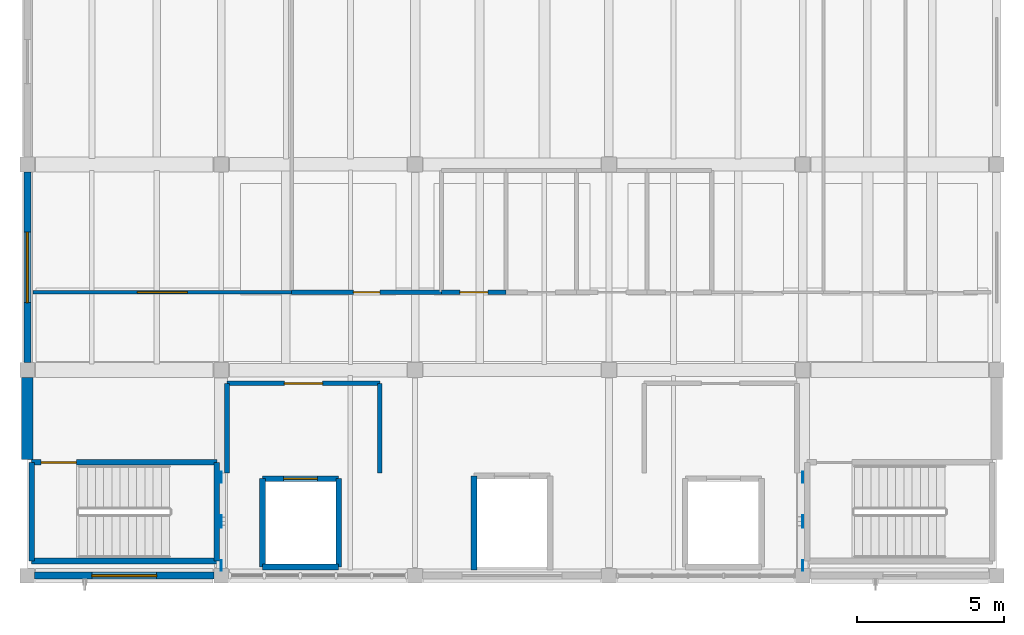
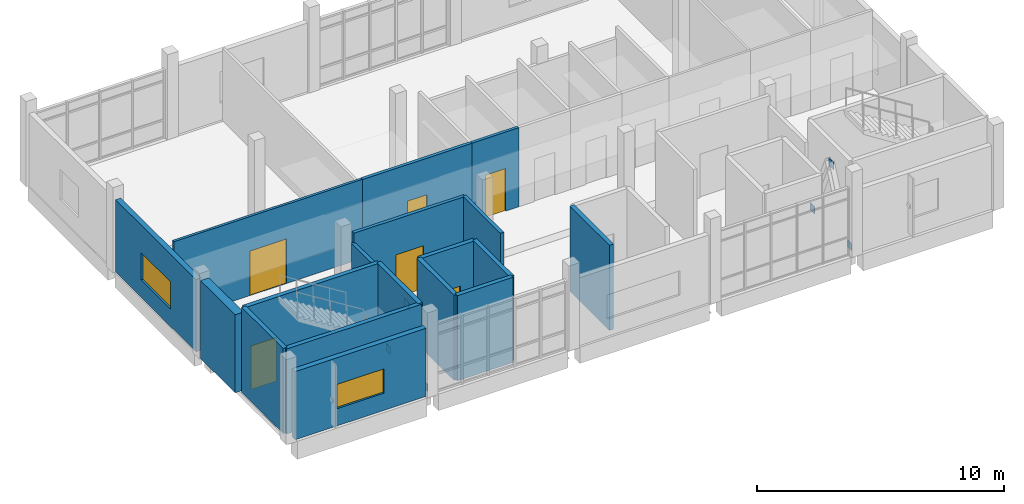
# One storey, part 7 of 10: 18 walls, 6 doors, 6 plates, 2 windows, 8 openings.
"""IFC4 building model written with IfcOpenShell, lengths in metres."""

from ifc_helpers import new_model, si_unit, direction, frame, frame_2d, origin, origin_2d, place, context, subcontext, project, spatial, rectangle, extrude, material, layer, layer_set, type_object, element, fill, save


model = new_model("IFC4")

# Units and contexts
model_context = context("Model", 3, precision=1e-05, world=origin(), true_north=direction((0.0, 1.0)))
body_context = subcontext(model_context, "Body", "Model", "MODEL_VIEW")
ifc_project = project(units=[si_unit("LENGTHUNIT", "METRE"), si_unit("AREAUNIT", "SQUARE_METRE"), si_unit("VOLUMEUNIT", "CUBIC_METRE"), si_unit("PLANEANGLEUNIT", "RADIAN"), si_unit("MASSUNIT", "GRAM", prefix="KILO")], contexts=[model_context])

# Site, building, storey
site_placement = place(None, origin())
site = spatial("IfcSite", under=ifc_project, at=site_placement, CompositionType="ELEMENT")
building_placement = place(site_placement, origin())
building = spatial("IfcBuilding", under=site, at=building_placement, Name="Ciguamira Faculty of Natural Sciences", CompositionType="ELEMENT")
storey_placement = place(building_placement, frame((0.0, 0.0, 42.0)))
storey = spatial("IfcBuildingStorey", under=building, at=storey_placement, Name="L10", CompositionType="ELEMENT", Elevation=42.0)

# Plates
ifc_material_1 = material(Name="Steel ASTM A572 Grade 50", Category="steel")
ifc_layer_1 = layer(ifc_material_1, 0.02001953125, Name="Steel ASTM A572 Grade 50")
ifc_layer_set_1 = layer_set([ifc_layer_1], Name="Steel ASTM A572 Grade 50")
plate_type = type_object("IfcPlateType", Name="GussetPlate_EP-02", PredefinedType="SHEET", material=ifc_layer_set_1)
plate_1_placement = place(storey_placement, frame((77.10009765625, 95.85009765625, 3.10009765625), z_axis=(0.0, 0.0, 1.0), x_axis=(1.0, 0.0, 0.0)))
element("IfcPlate", 1, at=plate_1_placement, inside=storey, type_object=plate_type, Name="L10 chevron brace apex gusset plate 023", PredefinedType="SHEET", context=body_context, shape_type="SweptSolid", body=[
    extrude(rectangle(XDim=0.02001953125, YDim=0.419921875, at=origin_2d()), origin(), (0.0, 0.0, 1.0), 0.360107421875),
])
for number, where, z_axis, x_axis, name in (
    (2, (77.10009765625, 94.35009765625, -0.02001953125), (0.0, 0.0, 1.0), (1.0, 0.0, 0.0), "L10 chevron brace base gusset plate 045"),
    (3, (77.10009765625, 97.35009765625, -0.02001953125), (0.0, 0.0, 1.0), (1.0, 0.0, 0.0), "L10 chevron brace base gusset plate 046"),
):
    element("IfcPlate", number, at=place(storey_placement, frame(where, z_axis=z_axis, x_axis=x_axis)), inside=storey, type_object=plate_type, Name=name, PredefinedType="SHEET", context=body_context, shape_type="SweptSolid", body=[
        extrude(rectangle(XDim=0.02001953125, YDim=0.360107421875, at=origin_2d()), origin(), (0.0, 0.0, 1.0), 0.360107421875),
    ])
plate_2_placement = place(storey_placement, frame((96.89990234375, 95.85009765625, 3.10009765625), z_axis=(0.0, 0.0, 1.0), x_axis=(1.0, 0.0, 0.0)))
element("IfcPlate", 4, at=plate_2_placement, inside=storey, type_object=plate_type, Name="L10 chevron brace apex gusset plate 024", PredefinedType="SHEET", context=body_context, shape_type="SweptSolid", body=[
    extrude(rectangle(XDim=0.02001953125, YDim=0.419921875, at=origin_2d()), origin(), (0.0, 0.0, 1.0), 0.360107421875),
])
for number, where, z_axis, x_axis, name in (
    (5, (96.89990234375, 94.35009765625, -0.02001953125), (0.0, 0.0, 1.0), (1.0, 0.0, 0.0), "L10 chevron brace base gusset plate 047"),
    (6, (96.89990234375, 97.35009765625, -0.02001953125), (0.0, 0.0, 1.0), (1.0, 0.0, 0.0), "L10 chevron brace base gusset plate 048"),
):
    element("IfcPlate", number, at=place(storey_placement, frame(where, z_axis=z_axis, x_axis=x_axis)), inside=storey, type_object=plate_type, Name=name, PredefinedType="SHEET", context=body_context, shape_type="SweptSolid", body=[
        extrude(rectangle(XDim=0.02001953125, YDim=0.360107421875, at=origin_2d()), origin(), (0.0, 0.0, 1.0), 0.360107421875),
    ])

# Wall, opening, window
ifc_material_2 = material(Name="Precast concrete C40/50", Category="concrete")
ifc_layer_2 = layer(ifc_material_2, 0.239990234375, Name="Precast concrete C40/50")
ifc_layer_set_2 = layer_set([ifc_layer_2], Name="Precast concrete C40/50")
wall_type_1 = type_object("IfcWallType", Name="ExtWall_EW-02_240", PredefinedType="SOLIDWALL", material=ifc_layer_set_2)
wall_1_placement = place(storey_placement, frame((70.75, 94.0, 0.0), z_axis=(0.0, 0.0, 1.0), x_axis=(1.0, 0.0, 0.0)))
wall_1 = element("IfcWall", 7, at=wall_1_placement, inside=storey, type_object=wall_type_1, Name="L10 exterior wall 0396", PredefinedType="SOLIDWALL", context=body_context, shape_type="SweptSolid", body=[
    extrude(rectangle(XDim=6.10009765625, YDim=0.239990234375, at=frame_2d((3.050048828125, 0.0))), origin(), (0.0, 0.0, 1.0), 3.364990234375),
])
opening_1_placement = place(wall_1_placement, frame((1.949951171875, 0.0, 0.85009765625)))
opening_1 = element("IfcOpeningElement", 8, at=opening_1_placement, cuts=wall_1, Name="Opening WT-31", PredefinedType="OPENING", context=body_context, shape_type="SweptSolid", body=[
    extrude(rectangle(XDim=2.199951171875, YDim=1.199951171875, at=frame_2d((1.10009765625, 0.60009765625))), frame((0.0, 0.1298828125, 0.0), z_axis=(0.0, -1.0, 0.0), x_axis=(1.0, 0.0, 0.0)), (0.0, 0.0, 1.0), 0.260009765625),
])
ifc_material_3 = material(Name="Hurricane laminated solar glass", Category="glass")
window_type_1 = type_object("IfcWindowType", Name="Window_WT-31_2200x1200", PartitioningType="DOUBLE_PANEL_VERTICAL", PredefinedType="WINDOW", material=ifc_material_3)
window_1_placement = place(opening_1_placement, origin())
window_1 = element("IfcWindow", 9, at=window_1_placement, inside=storey, type_object=window_type_1, Name="L10 facade window 0278", OverallHeight=1.199951171875, OverallWidth=2.199951171875, PartitioningType="SINGLE_PANEL", PredefinedType="WINDOW", context=body_context, shape_type="SweptSolid", body=[
    extrude(rectangle(XDim=2.199951171875, YDim=1.199951171875, at=frame_2d((1.10009765625, 0.60009765625))), frame((0.0, 0.030029296875, 0.0), z_axis=(0.0, -1.0, 0.0), x_axis=(1.0, 0.0, 0.0)), (0.0, 0.0, 1.0), 0.06005859375),
])
fill(opening_1, window_1)

wall_2_placement = place(storey_placement, frame((70.5, 101.25, 0.0), z_axis=(0.0, 0.0, 1.0), x_axis=(0.0, 1.0, 0.0)))
wall_2 = element("IfcWall", 10, at=wall_2_placement, inside=storey, type_object=wall_type_1, Name="L10 exterior wall 0402", PredefinedType="SOLIDWALL", context=body_context, shape_type="SweptSolid", body=[
    extrude(rectangle(XDim=6.5, YDim=0.239990234375, at=frame_2d((3.25, 0.0))), origin(), (0.0, 0.0, 1.0), 3.56494140625),
])
opening_2_placement = place(wall_2_placement, frame((2.050048828125, 0.0, 0.85009765625)))
opening_2 = element("IfcOpeningElement", 11, at=opening_2_placement, cuts=wall_2, Name="Opening WT-07", PredefinedType="OPENING", context=body_context, shape_type="SweptSolid", body=[
    extrude(rectangle(XDim=2.39990234375, YDim=1.35009765625, at=frame_2d((1.199951171875, 0.675048828125))), frame((0.0, 0.1298828125, 0.0), z_axis=(0.0, -1.0, 0.0), x_axis=(1.0, 0.0, 0.0)), (0.0, 0.0, 1.0), 0.260009765625),
])
window_type_2 = type_object("IfcWindowType", Name="Window_WT-07_2400x1350", PartitioningType="DOUBLE_PANEL_VERTICAL", PredefinedType="WINDOW", material=ifc_material_3)
window_2_placement = place(opening_2_placement, origin())
window_2 = element("IfcWindow", 12, at=window_2_placement, inside=storey, type_object=window_type_2, Name="L10 facade window 0283", OverallHeight=1.35009765625, OverallWidth=2.39990234375, PartitioningType="SINGLE_PANEL", PredefinedType="WINDOW", context=body_context, shape_type="SweptSolid", body=[
    extrude(rectangle(XDim=2.39990234375, YDim=1.35009765625, at=frame_2d((1.199951171875, 0.675048828125))), frame((0.0, 0.030029296875, 0.0), z_axis=(0.0, -1.0, 0.0), x_axis=(1.0, 0.0, 0.0)), (0.0, 0.0, 1.0), 0.06005859375),
])
fill(opening_2, window_2)

# Walls
ifc_material_4 = material(Name="Concrete C40/50", Category="concrete")
ifc_layer_3 = layer(ifc_material_4, 0.39990234375, Name="Concrete C40/50")
ifc_layer_set_3 = layer_set([ifc_layer_3], Name="Concrete C40/50")
wall_type_2 = type_object("IfcWallType", Name="ExtWall_RW-02_400", PredefinedType="SHEAR", material=ifc_layer_set_3)
wall_3_placement = place(storey_placement, frame((70.5, 97.9599609375, 0.0), z_axis=(0.0, 0.0, 1.0), x_axis=(0.0, 1.0, 0.0)))
element("IfcWall", 13, at=wall_3_placement, inside=storey, type_object=wall_type_2, Name="L10 exterior wall 0401", PredefinedType="SHEAR", context=body_context, shape_type="SweptSolid", body=[
    extrude(rectangle(XDim=2.7900390625, YDim=0.39990234375, at=frame_2d((1.39501953125, 0.0))), origin(), (0.0, 0.0, 1.0), 3.85009765625),
])
ifc_layer_4 = layer(ifc_material_4, 0.199951171875, Name="Concrete C40/50")
ifc_layer_set_4 = layer_set([ifc_layer_4], Name="Concrete C40/50")
wall_type_3 = type_object("IfcWallType", Name="IntWall_CW-S20_200", PredefinedType="SHEAR", material=ifc_layer_set_4)
wall_4_placement = place(storey_placement, frame((70.64990234375, 94.5, 0.0), z_axis=(0.0, 0.0, 1.0), x_axis=(1.0, 0.0, 0.0)))
element("IfcWall", 14, at=wall_4_placement, inside=storey, type_object=wall_type_3, Name="L10 ST-T1 core shear wall south", PredefinedType="SHEAR", context=body_context, shape_type="SweptSolid", body=[
    extrude(rectangle(XDim=6.300048828125, YDim=0.199951171875, at=frame_2d((3.14990234375, 0.0))), origin(), (0.0, 0.0, 1.0), 4.199951171875),
])

# Wall, opening, door
wall_5_placement = place(storey_placement, frame((70.64990234375, 97.860107421875, 0.0), z_axis=(0.0, 0.0, 1.0), x_axis=(1.0, 0.0, 0.0)))
wall_5 = element("IfcWall", 15, at=wall_5_placement, inside=storey, type_object=wall_type_3, Name="L10 ST-T1 core shear wall north", PredefinedType="SHEAR", context=body_context, shape_type="SweptSolid", body=[
    extrude(rectangle(XDim=6.300048828125, YDim=0.199951171875, at=frame_2d((3.14990234375, 0.0))), origin(), (0.0, 0.0, 1.0), 4.199951171875),
])
opening_3_placement = place(wall_5_placement, frame((0.320068359375, 0.0, 0.0)))
opening_3 = element("IfcOpeningElement", 16, at=opening_3_placement, cuts=wall_5, Name="Opening ID-14", PredefinedType="OPENING", context=body_context, shape_type="SweptSolid", body=[
    extrude(rectangle(XDim=1.199951171875, YDim=2.14990234375, at=frame_2d((0.60009765625, 1.074951171875))), frame((0.0, 0.10986328125, 0.0), z_axis=(0.0, -1.0, 0.0), x_axis=(1.0, 0.0, 0.0)), (0.0, 0.0, 1.0), 0.219970703125),
])
ifc_material_5 = material(Name="Protected exit stair fire door")
door_type_1 = type_object("IfcDoorType", Name="IntDoor_ID-14_1200x2150", OperationType="NOTDEFINED", PredefinedType="DOOR", material=ifc_material_5)
door_1_placement = place(opening_3_placement, frame((1.199951171875, 0.0, 0.0), z_axis=(0.0, 0.0, 1.0), x_axis=(-1.0, 0.0, 0.0)))
door_1 = element("IfcDoor", 17, at=door_1_placement, inside=storey, type_object=door_type_1, Name="L10 ST-T1 exit stair fire door", OperationType="SINGLE_SWING_RIGHT", OverallHeight=2.14990234375, OverallWidth=1.199951171875, PredefinedType="DOOR", context=body_context, shape_type="SweptSolid", body=[
    extrude(rectangle(XDim=1.199951171875, YDim=2.14990234375, at=frame_2d((0.60009765625, 1.074951171875))), frame((0.0, 0.02490234375, 0.0), z_axis=(0.0, -1.0, 0.0), x_axis=(1.0, 0.0, 0.0)), (0.0, 0.0, 1.0), 0.050048828125),
])
fill(opening_3, door_1)

# Walls
for number, where, z_axis, x_axis, name in (
    (18, (70.64990234375, 94.5, 0.0), (0.0, 0.0, 1.0), (0.0, 1.0, 0.0), "L10 ST-T1 core shear wall west"),
    (19, (76.949951171875, 94.5, 0.0), (0.0, 0.0, 1.0), (0.0, 1.0, 0.0), "L10 ST-T1 core shear wall east"),
):
    element("IfcWall", number, at=place(storey_placement, frame(where, z_axis=z_axis, x_axis=x_axis)), inside=storey, type_object=wall_type_3, Name=name, PredefinedType="SHEAR", context=body_context, shape_type="SweptSolid", body=[
        extrude(rectangle(XDim=3.360107421875, YDim=0.199951171875, at=frame_2d((1.68017578125, 0.0))), origin(), (0.0, 0.0, 1.0), 4.199951171875),
    ])
wall_6_placement = place(storey_placement, frame((78.5, 94.300048828125, 0.0), z_axis=(0.0, 0.0, 1.0), x_axis=(1.0, 0.0, 0.0)))
element("IfcWall", 20, at=wall_6_placement, inside=storey, type_object=wall_type_3, Name="L10 EL-FF1 hoistway wall south", PredefinedType="SHEAR", context=body_context, shape_type="SweptSolid", body=[
    extrude(rectangle(XDim=2.60009765625, YDim=0.199951171875, at=frame_2d((1.300048828125, 0.0))), origin(), (0.0, 0.0, 1.0), 4.199951171875),
])

# Wall, opening, door
wall_7_placement = place(storey_placement, frame((78.5, 97.300048828125, 0.0), z_axis=(0.0, 0.0, 1.0), x_axis=(1.0, 0.0, 0.0)))
wall_7 = element("IfcWall", 21, at=wall_7_placement, inside=storey, type_object=wall_type_3, Name="L10 EL-FF1 hoistway wall north", PredefinedType="SHEAR", context=body_context, shape_type="SweptSolid", body=[
    extrude(rectangle(XDim=2.60009765625, YDim=0.199951171875, at=frame_2d((1.300048828125, 0.0))), origin(), (0.0, 0.0, 1.0), 4.199951171875),
])
opening_4_placement = place(wall_7_placement, frame((0.72509765625, 0.0, 0.0)))
opening_4 = element("IfcOpeningElement", 22, at=opening_4_placement, cuts=wall_7, Name="Opening LD-03", PredefinedType="OPENING", context=body_context, shape_type="SweptSolid", body=[
    extrude(rectangle(XDim=1.14990234375, YDim=2.199951171875, at=frame_2d((0.574951171875, 1.10009765625))), frame((0.0, 0.10986328125, 0.0), z_axis=(0.0, -1.0, 0.0), x_axis=(1.0, 0.0, 0.0)), (0.0, 0.0, 1.0), 0.219970703125),
])
ifc_material_6 = material(Name="Firefighting lift sliding landing door")
door_type_2 = type_object("IfcDoorType", Name="LiftLandingDoor_LD-03_1150x2200", OperationType="SLIDING_TO_LEFT", PredefinedType="DOOR", material=ifc_material_6)
door_2_placement = place(opening_4_placement, origin())
door_2 = element("IfcDoor", 23, at=door_2_placement, inside=storey, type_object=door_type_2, Name="L10 EL-FF1 elevator landing sliding door", OperationType="SLIDING_TO_LEFT", OverallHeight=2.199951171875, OverallWidth=1.14990234375, PredefinedType="DOOR", context=body_context, shape_type="SweptSolid", body=[
    extrude(rectangle(XDim=1.14990234375, YDim=2.199951171875, at=frame_2d((0.574951171875, 1.10009765625))), frame((0.0, 0.02490234375, 0.0), z_axis=(0.0, -1.0, 0.0), x_axis=(1.0, 0.0, 0.0)), (0.0, 0.0, 1.0), 0.050048828125),
])
fill(opening_4, door_2)

# Walls
for number, where, z_axis, x_axis, name in (
    (24, (78.5, 94.300048828125, 0.0), (0.0, 0.0, 1.0), (0.0, 1.0, 0.0), "L10 EL-FF1 hoistway wall west"),
    (25, (81.10009765625, 94.300048828125, 0.0), (0.0, 0.0, 1.0), (0.0, 1.0, 0.0), "L10 EL-FF1 hoistway wall east"),
):
    element("IfcWall", number, at=place(storey_placement, frame(where, z_axis=z_axis, x_axis=x_axis)), inside=storey, type_object=wall_type_3, Name=name, PredefinedType="SHEAR", context=body_context, shape_type="SweptSolid", body=[
        extrude(rectangle(XDim=3.0, YDim=0.199951171875, at=frame_2d((1.5, 0.0))), origin(), (0.0, 0.0, 1.0), 4.199951171875),
    ])
wall_8_placement = place(storey_placement, frame((85.699951171875, 94.199951171875, 0.0), z_axis=(0.0, 0.0, 1.0), x_axis=(0.0, 1.0, 0.0)))
element("IfcWall", 26, at=wall_8_placement, inside=storey, type_object=wall_type_3, Name="L10 EL-P1 hoistway wall west", PredefinedType="SHEAR", context=body_context, shape_type="SweptSolid", body=[
    extrude(rectangle(XDim=3.199951171875, YDim=0.199951171875, at=frame_2d((1.60009765625, 0.0))), origin(), (0.0, 0.0, 1.0), 4.199951171875),
])

# Wall, opening, door
ifc_material_7 = material(Name="Acoustic double-stud gypsum partition")
ifc_layer_5 = layer(ifc_material_7, 0.1201171875, Name="Acoustic double-stud gypsum partition")
ifc_layer_set_5 = layer_set([ifc_layer_5], Name="Acoustic double-stud gypsum partition")
wall_type_4 = type_object("IfcWallType", Name="IntWall_IW-A12_120", PredefinedType="PARTITIONING", material=ifc_layer_set_5)
wall_9_placement = place(storey_placement, frame((70.699951171875, 103.64990234375, 0.0), z_axis=(0.0, 0.0, 1.0), x_axis=(1.0, 0.0, 0.0)))
wall_9 = element("IfcWall", 27, at=wall_9_placement, inside=storey, type_object=wall_type_4, Name="L10 Applied Mathematics Seminar Hall partition south", PredefinedType="PARTITIONING", context=body_context, shape_type="SweptSolid", body=[
    extrude(rectangle(XDim=8.800048828125, YDim=0.1201171875, at=frame_2d((4.39990234375, 0.0))), origin(), (0.0, 0.0, 1.0), 3.89990234375),
])
opening_5_placement = place(wall_9_placement, frame((3.550048828125, 0.0, 0.0)))
opening_5 = element("IfcOpeningElement", 28, at=opening_5_placement, cuts=wall_9, Name="Opening ID-18", PredefinedType="OPENING", context=body_context, shape_type="SweptSolid", body=[
    extrude(rectangle(XDim=1.699951171875, YDim=2.199951171875, at=frame_2d((0.85009765625, 1.10009765625))), frame((0.0, 0.070068359375, 0.0), z_axis=(0.0, -1.0, 0.0), x_axis=(1.0, 0.0, 0.0)), (0.0, 0.0, 1.0), 0.14013671875),
])
ifc_material_8 = material(Name="Archive vault rated door")
door_type_3 = type_object("IfcDoorType", Name="IntDoor_ID-18_1700x2200", OperationType="NOTDEFINED", PredefinedType="DOOR", material=ifc_material_8)
door_3_placement = place(opening_5_placement, origin())
door_3 = element("IfcDoor", 29, at=door_3_placement, inside=storey, type_object=door_type_3, Name="L10 Applied Mathematics Seminar Hall door", OperationType="SINGLE_SWING_RIGHT", OverallHeight=2.199951171875, OverallWidth=1.699951171875, PredefinedType="DOOR", context=body_context, shape_type="SweptSolid", body=[
    extrude(rectangle(XDim=1.699951171875, YDim=2.199951171875, at=frame_2d((0.85009765625, 1.10009765625))), frame((0.0, 0.02490234375, 0.0), z_axis=(0.0, -1.0, 0.0), x_axis=(1.0, 0.0, 0.0)), (0.0, 0.0, 1.0), 0.050048828125),
])
fill(opening_5, door_3)

ifc_material_9 = material(Name="Fire-rated blockwork wall", Category="masonry")
ifc_layer_6 = layer(ifc_material_9, 0.159912109375, Name="Fire-rated blockwork wall")
ifc_layer_set_6 = layer_set([ifc_layer_6], Name="Fire-rated blockwork wall")
wall_type_5 = type_object("IfcWallType", Name="IntWall_IW-F16_160", PredefinedType="SOLIDWALL", material=ifc_layer_set_6)
wall_10_placement = place(storey_placement, frame((77.300048828125, 100.550048828125, 0.0), z_axis=(0.0, 0.0, 1.0), x_axis=(1.0, 0.0, 0.0)))
wall_10 = element("IfcWall", 30, at=wall_10_placement, inside=storey, type_object=wall_type_5, Name="L10 Firefighting Lift Lobby 1 partition north", PredefinedType="SOLIDWALL", context=body_context, shape_type="SweptSolid", body=[
    extrude(rectangle(XDim=5.199951171875, YDim=0.159912109375, at=frame_2d((2.60009765625, 0.0))), origin(), (0.0, 0.0, 1.0), 3.89990234375),
])
opening_6_placement = place(wall_10_placement, frame((1.949951171875, 0.0, 0.0)))
opening_6 = element("IfcOpeningElement", 31, at=opening_6_placement, cuts=wall_10, Name="Opening ID-15", PredefinedType="OPENING", context=body_context, shape_type="SweptSolid", body=[
    extrude(rectangle(XDim=1.300048828125, YDim=2.14990234375, at=frame_2d((0.64990234375, 1.074951171875))), frame((0.0, 0.08984375, 0.0), z_axis=(0.0, -1.0, 0.0), x_axis=(1.0, 0.0, 0.0)), (0.0, 0.0, 1.0), 0.179931640625),
])
ifc_material_10 = material(Name="Firefighting lift lobby fire door")
door_type_4 = type_object("IfcDoorType", Name="IntDoor_ID-15_1300x2150", OperationType="NOTDEFINED", PredefinedType="DOOR", material=ifc_material_10)
door_4_placement = place(opening_6_placement, frame((1.300048828125, 0.0, 0.0), z_axis=(0.0, 0.0, 1.0), x_axis=(-1.0, 0.0, 0.0)))
door_4 = element("IfcDoor", 32, at=door_4_placement, inside=storey, type_object=door_type_4, Name="L10 Firefighting Lift Lobby 1 door", OperationType="SINGLE_SWING_RIGHT", OverallHeight=2.14990234375, OverallWidth=1.300048828125, PredefinedType="DOOR", context=body_context, shape_type="SweptSolid", body=[
    extrude(rectangle(XDim=1.300048828125, YDim=2.14990234375, at=frame_2d((0.64990234375, 1.074951171875))), frame((0.0, 0.02490234375, 0.0), z_axis=(0.0, -1.0, 0.0), x_axis=(1.0, 0.0, 0.0)), (0.0, 0.0, 1.0), 0.050048828125),
])
fill(opening_6, door_4)

# Walls
wall_11_placement = place(storey_placement, frame((77.300048828125, 97.5, 0.0), z_axis=(0.0, 0.0, 1.0), x_axis=(0.0, 1.0, 0.0)))
element("IfcWall", 33, at=wall_11_placement, inside=storey, type_object=wall_type_5, Name="L10 Firefighting Lift Lobby 1 partition west", PredefinedType="SOLIDWALL", context=body_context, shape_type="SweptSolid", body=[
    extrude(rectangle(XDim=3.050048828125, YDim=0.159912109375, at=frame_2d((1.52490234375, 0.0))), origin(), (0.0, 0.0, 1.0), 3.405029296875),
])
wall_12_placement = place(storey_placement, frame((82.5, 97.5, 0.0), z_axis=(0.0, 0.0, 1.0), x_axis=(0.0, 1.0, 0.0)))
element("IfcWall", 34, at=wall_12_placement, inside=storey, type_object=wall_type_5, Name="L10 Firefighting Lift Lobby 1 partition east", PredefinedType="SOLIDWALL", context=body_context, shape_type="SweptSolid", body=[
    extrude(rectangle(XDim=3.050048828125, YDim=0.159912109375, at=frame_2d((1.52490234375, 0.0))), origin(), (0.0, 0.0, 1.0), 3.89990234375),
])

# Wall, opening, door
ifc_material_11 = material(Name="Acoustic laboratory corridor partition")
ifc_layer_7 = layer(ifc_material_11, 0.14990234375, Name="Acoustic laboratory corridor partition")
ifc_layer_set_7 = layer_set([ifc_layer_7], Name="Acoustic laboratory corridor partition")
wall_type_6 = type_object("IfcWallType", Name="IntWall_IW-G15_150", PredefinedType="PARTITIONING", material=ifc_layer_set_7)
wall_13_placement = place(storey_placement, frame((79.5, 103.64990234375, 0.0), z_axis=(0.0, 0.0, 1.0), x_axis=(1.0, 0.0, 0.0)))
wall_13 = element("IfcWall", 35, at=wall_13_placement, inside=storey, type_object=wall_type_6, Name="L10 Statistical Modelling Laboratory partition south", PredefinedType="PARTITIONING", context=body_context, shape_type="SweptSolid", body=[
    extrude(rectangle(XDim=5.10009765625, YDim=0.14990234375, at=frame_2d((2.550048828125, 0.0))), origin(), (0.0, 0.0, 1.0), 3.89990234375),
])
opening_7_placement = place(wall_13_placement, frame((2.10009765625, 0.0, 0.0)))
opening_7 = element("IfcOpeningElement", 36, at=opening_7_placement, cuts=wall_13, Name="Opening ID-01", PredefinedType="OPENING", context=body_context, shape_type="SweptSolid", body=[
    extrude(rectangle(XDim=0.89990234375, YDim=2.10009765625, at=frame_2d((0.449951171875, 1.050048828125))), frame((0.0, 0.0849609375, 0.0), z_axis=(0.0, -1.0, 0.0), x_axis=(1.0, 0.0, 0.0)), (0.0, 0.0, 1.0), 0.169921875),
])
ifc_material_12 = material(Name="Single timber office door", Category="wood")
door_type_5 = type_object("IfcDoorType", Name="IntDoor_ID-01_900x2100", OperationType="NOTDEFINED", PredefinedType="DOOR", material=ifc_material_12)
door_5_placement = place(opening_7_placement, origin())
door_5 = element("IfcDoor", 37, at=door_5_placement, inside=storey, type_object=door_type_5, Name="L10 Statistical Modelling Laboratory door", OperationType="SINGLE_SWING_LEFT", OverallHeight=2.10009765625, OverallWidth=0.89990234375, PredefinedType="DOOR", context=body_context, shape_type="SweptSolid", body=[
    extrude(rectangle(XDim=0.89990234375, YDim=2.10009765625, at=frame_2d((0.449951171875, 1.050048828125))), frame((0.0, 0.02490234375, 0.0), z_axis=(0.0, -1.0, 0.0), x_axis=(1.0, 0.0, 0.0)), (0.0, 0.0, 1.0), 0.050048828125),
])
fill(opening_7, door_5)

ifc_material_13 = material(Name="Moisture-resistant service chase wall")
ifc_layer_8 = layer(ifc_material_13, 0.139892578125, Name="Moisture-resistant service chase wall")
ifc_layer_set_8 = layer_set([ifc_layer_8], Name="Moisture-resistant service chase wall")
wall_type_7 = type_object("IfcWallType", Name="IntWall_IW-P14_140", PredefinedType="PLUMBINGWALL", material=ifc_layer_set_8)
wall_14_placement = place(storey_placement, frame((84.60009765625, 103.64990234375, 0.0), z_axis=(0.0, 0.0, 1.0), x_axis=(1.0, 0.0, 0.0)))
wall_14 = element("IfcWall", 38, at=wall_14_placement, inside=storey, type_object=wall_type_7, Name="L10 Accessible WC partition south", PredefinedType="PLUMBINGWALL", context=body_context, shape_type="SweptSolid", body=[
    extrude(rectangle(XDim=2.199951171875, YDim=0.139892578125, at=frame_2d((1.10009765625, 0.0))), origin(), (0.0, 0.0, 1.0), 3.89990234375),
])
opening_8_placement = place(wall_14_placement, frame((0.625, 0.0, 0.0)))
opening_8 = element("IfcOpeningElement", 39, at=opening_8_placement, cuts=wall_14, Name="Opening ID-02", PredefinedType="OPENING", context=body_context, shape_type="SweptSolid", body=[
    extrude(rectangle(XDim=0.949951171875, YDim=2.10009765625, at=frame_2d((0.47509765625, 1.050048828125))), frame((0.0, 0.079833984375, 0.0), z_axis=(0.0, -1.0, 0.0), x_axis=(1.0, 0.0, 0.0)), (0.0, 0.0, 1.0), 0.159912109375),
])
ifc_material_14 = material(Name="Accessible WC outward-clear door")
door_type_6 = type_object("IfcDoorType", Name="IntDoor_ID-02_950x2100", OperationType="NOTDEFINED", PredefinedType="DOOR", material=ifc_material_14)
door_6_placement = place(opening_8_placement, origin())
door_6 = element("IfcDoor", 40, at=door_6_placement, inside=storey, type_object=door_type_6, Name="L10 Accessible WC door", OperationType="SINGLE_SWING_RIGHT", OverallHeight=2.10009765625, OverallWidth=0.949951171875, PredefinedType="DOOR", context=body_context, shape_type="SweptSolid", body=[
    extrude(rectangle(XDim=0.949951171875, YDim=2.10009765625, at=frame_2d((0.47509765625, 1.050048828125))), frame((0.0, 0.02490234375, 0.0), z_axis=(0.0, -1.0, 0.0), x_axis=(1.0, 0.0, 0.0)), (0.0, 0.0, 1.0), 0.050048828125),
])
fill(opening_8, door_6)

save(model, "model.ifc")
